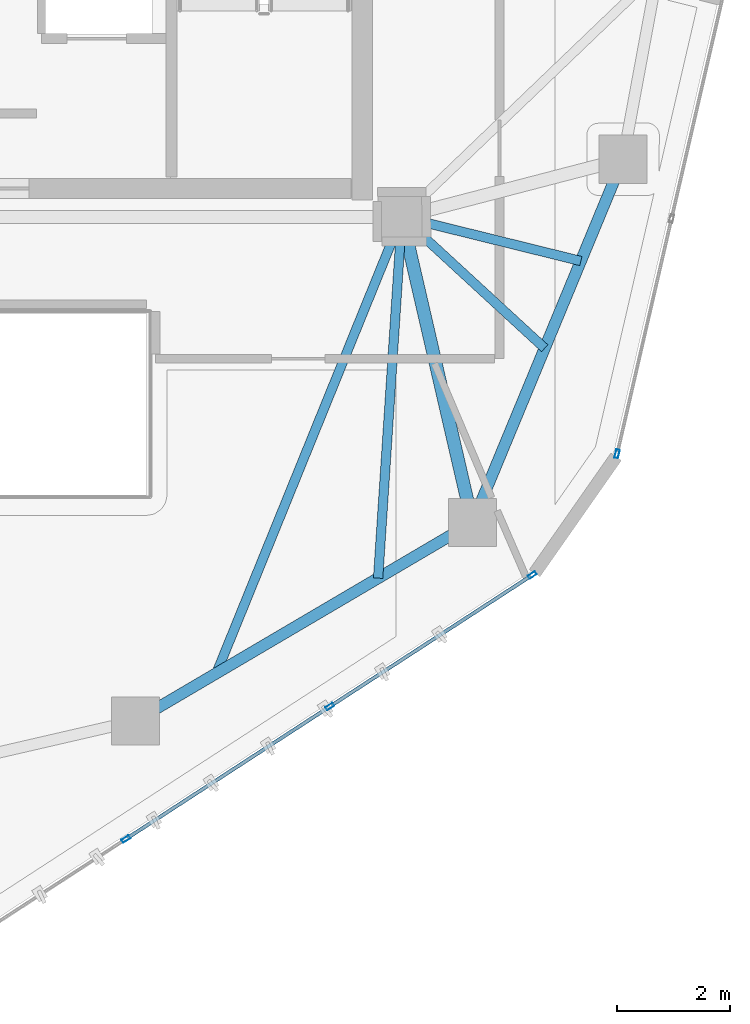
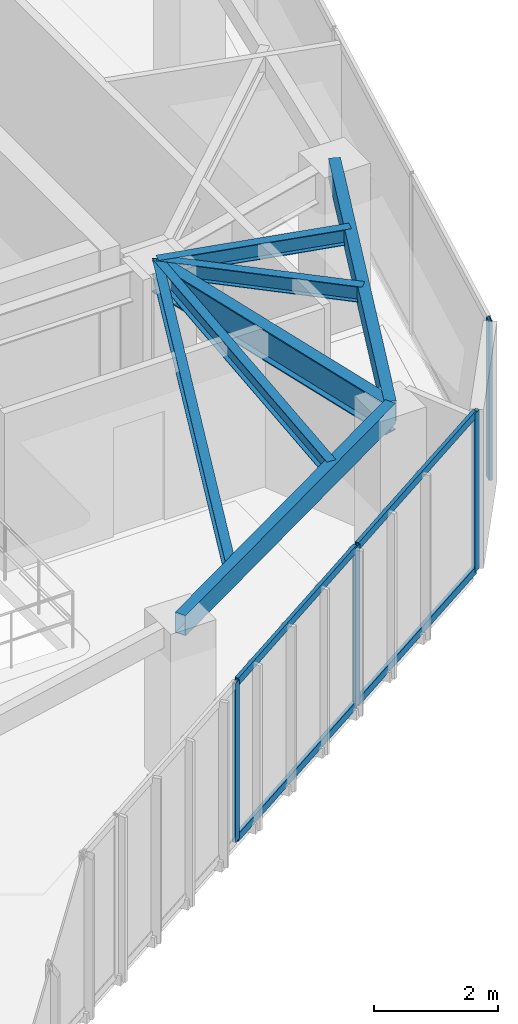
# One storey, part 6 of 20: 8 members, 7 beams, 2 elements without a shape of their own.
"""IFC4 building model written with IfcOpenShell, lengths in metres."""

import ifcopenshell
import ifcopenshell.guid

model = None  # the IFC model being written
_history = None  # IfcOwnerHistory: only IFC2X3 demands one
_inside = {}  # id of a spatial element -> (the spatial element, [elements in it])
_under = {}  # id of a project, library or spatial element -> (it, [spatial elements below it])
_declared = {}  # id of a project -> (the project, [libraries it declares])
_typed = {}  # id of a type object -> (the type object, [elements of that type])
_made_of = {}  # id of a material, layer set ... -> (it, [elements and type objects made of it])


def new_model(schema):
    """Start an empty IFC model of exactly this schema.

    Asked for "IFC4X3", IfcOpenShell would pick the latest addendum, in which some entities
    have other attributes; the version numbers below select the first issue.
    IFC2X3 requires an IfcOwnerHistory on every rooted entity: one is made here for all.
    """
    global model, _history
    if schema == "IFC4X3":
        model = ifcopenshell.file(schema_version=(4, 3, 0, 0))
    else:
        model = ifcopenshell.file(schema=schema)
    _inside.clear()
    _under.clear()
    _declared.clear()
    _typed.clear()
    _made_of.clear()
    _history = None
    if model.schema == "IFC2X3":
        org = make("IfcOrganization", Name="unknown")
        user = make(
            "IfcPersonAndOrganization",
            ThePerson=make("IfcPerson", FamilyName="unknown"),
            TheOrganization=org,
        )
        app = make(
            "IfcApplication",
            ApplicationDeveloper=org,
            Version="unknown",
            ApplicationFullName="unknown",
            ApplicationIdentifier="unknown",
        )
        _history = make(
            "IfcOwnerHistory",
            OwningUser=user,
            OwningApplication=app,
            ChangeAction="ADDED",
            CreationDate=0,
        )
    return model


def make(cls, **values):
    """One entity of the class cls with the attributes given. An attribute that is None is left unset."""
    return model.create_entity(
        cls, **{name: value for name, value in values.items() if value is not None}
    )


def rooted(cls, **values):
    """An entity with a GlobalId (a new one), such as an element, a storey or a relation."""
    return make(cls, GlobalId=ifcopenshell.guid.new(), OwnerHistory=_history, **values)


def si_unit(unit_type, name, prefix=None):
    """IfcSIUnit, for example si_unit("LENGTHUNIT", "METRE", prefix="MILLI")."""
    return make("IfcSIUnit", UnitType=unit_type, Prefix=prefix, Name=name)


def assignment(units):
    """IfcUnitAssignment: the units of a project."""
    return None if units is None else make("IfcUnitAssignment", Units=units)


def point(xyz):
    """IfcCartesianPoint."""
    return None if xyz is None else make("IfcCartesianPoint", Coordinates=xyz)


def direction(xyz):
    """IfcDirection."""
    return None if xyz is None else make("IfcDirection", DirectionRatios=xyz)


def frame(location, z_axis=None, x_axis=None):
    """IfcAxis2Placement3D, a coordinate frame: its origin and axes. An axis left out is left unset."""
    return make(
        "IfcAxis2Placement3D",
        Location=point(location),
        Axis=direction(z_axis),
        RefDirection=direction(x_axis),
    )


def frame_2d(location, x_axis=None):
    """IfcAxis2Placement2D, a coordinate frame in the plane: its origin and x axis."""
    return make(
        "IfcAxis2Placement2D", Location=point(location), RefDirection=direction(x_axis)
    )


def origin():
    """The frame at (0, 0, 0) with its axes left unset."""
    return frame((0.0, 0.0, 0.0))


def origin_2d():
    """The frame at (0, 0) in the plane with its x axis left unset."""
    return frame_2d((0.0, 0.0))


def place(relative_to, where):
    """IfcLocalPlacement: puts the frame where relative to a parent placement (None: the world)."""
    return make(
        "IfcLocalPlacement", PlacementRelTo=relative_to, RelativePlacement=where
    )


def context(
    kind, dimensions, precision=None, world=None, true_north=None, identifier=None
):
    """IfcGeometricRepresentationContext, for example the 3D "Model" context."""
    return make(
        "IfcGeometricRepresentationContext",
        ContextIdentifier=identifier,
        ContextType=kind,
        CoordinateSpaceDimension=dimensions,
        Precision=precision,
        WorldCoordinateSystem=world,
        TrueNorth=true_north,
    )


def subcontext(parent, identifier, kind, view, scale=None):
    """IfcGeometricRepresentationSubContext, for example "Body" below "Model"."""
    return make(
        "IfcGeometricRepresentationSubContext",
        ContextIdentifier=identifier,
        ContextType=kind,
        ParentContext=parent,
        TargetScale=scale,
        TargetView=view,
    )


def project(units=None, contexts=None):
    """IfcProject with its units and contexts."""
    return rooted(
        "IfcProject",
        Name="project",
        RepresentationContexts=contexts,
        UnitsInContext=assignment(units),
    )


def spatial(cls, under=None, at=None, **own):
    """A site, building, storey or space (cls), placed at a placement, below another one or the project."""
    s = rooted(cls, ObjectPlacement=at, **own)
    if under is not None:
        _under.setdefault(under.id(), (under, []))[1].append(s)
    return s


def profile(cls, at=None, kind="AREA", **sizes):
    """A parametric profile (cls). Its sizes go by their IFC names, for example OverallWidth=200.0."""
    return make(cls, ProfileType=kind, Position=at, **sizes)


def hollow_rectangle(**sizes):
    """IfcRectangleHollowProfileDef."""
    return profile("IfcRectangleHollowProfileDef", **sizes)


def i_section(**sizes):
    """IfcIShapeProfileDef."""
    return profile("IfcIShapeProfileDef", **sizes)


def extrude(swept, where, along, depth):
    """IfcExtrudedAreaSolid: the profile swept, set in the frame where, extruded along a direction by depth."""
    return make(
        "IfcExtrudedAreaSolid",
        SweptArea=swept,
        Position=where,
        ExtrudedDirection=direction(along),
        Depth=depth,
    )


def shape(context_of_items, identifier, shape_type, items):
    """IfcShapeRepresentation: the items that make up one representation, for example the "Body"."""
    return make(
        "IfcShapeRepresentation",
        ContextOfItems=context_of_items,
        RepresentationIdentifier=identifier,
        RepresentationType=shape_type,
        Items=items,
    )


def source(mapping_origin, context_of_items, identifier, shape_type, items):
    """IfcRepresentationMap: a shape defined once, which mapped items show again and again."""
    return make(
        "IfcRepresentationMap",
        MappingOrigin=mapping_origin,
        MappedRepresentation=shape(context_of_items, identifier, shape_type, items),
    )


def transform(
    local_origin,
    x_axis=None,
    y_axis=None,
    z_axis=None,
    scale=None,
    scale2=None,
    scale3=None,
    uniform=True,
):
    """IfcCartesianTransformationOperator3D, or its non-uniform kind. x_axis, y_axis, z_axis: its Axis1, 2, 3."""
    if uniform:
        return make(
            "IfcCartesianTransformationOperator3D",
            Axis1=direction(x_axis),
            Axis2=direction(y_axis),
            LocalOrigin=point(local_origin),
            Scale=scale,
            Axis3=direction(z_axis),
        )
    return make(
        "IfcCartesianTransformationOperator3DnonUniform",
        Axis1=direction(x_axis),
        Axis2=direction(y_axis),
        LocalOrigin=point(local_origin),
        Scale=scale,
        Axis3=direction(z_axis),
        Scale2=scale2,
        Scale3=scale3,
    )


def mapped(mapping_source, mapping_target):
    """IfcMappedItem: shows the shape of a source again, moved by a transform."""
    return make(
        "IfcMappedItem", MappingSource=mapping_source, MappingTarget=mapping_target
    )


def material(Name=None, Category=None):
    """IfcMaterial."""
    return make("IfcMaterial", Name=Name, Category=Category)


def layer(
    of_material, thickness, ventilated=None, Name=None, Category=None, Priority=None
):
    """IfcMaterialLayer: one layer of a wall or slab, of a material (None: an air gap)."""
    return make(
        "IfcMaterialLayer",
        Material=of_material,
        LayerThickness=thickness,
        IsVentilated=ventilated,
        Name=Name,
        Category=Category,
        Priority=Priority,
    )


def layer_set(layers, Name=None):
    """IfcMaterialLayerSet."""
    return make("IfcMaterialLayerSet", MaterialLayers=layers, LayerSetName=Name)


def material_profile(
    of_material, cross_section, Name=None, Category=None, Priority=None
):
    """IfcMaterialProfile: a cross section and its material."""
    return make(
        "IfcMaterialProfile",
        Name=Name,
        Material=of_material,
        Profile=cross_section,
        Priority=Priority,
        Category=Category,
    )


def profile_set(profiles, Name=None, composite=None):
    """IfcMaterialProfileSet."""
    return make(
        "IfcMaterialProfileSet",
        Name=Name,
        MaterialProfiles=profiles,
        CompositeProfile=composite,
    )


def made_of(thing, what):
    """Note that an element or type object is made of a material, layer set ...; save() writes the relation."""
    if what is not None:
        _made_of.setdefault(what.id(), (what, []))[1].append(thing)
    return thing


def type_object(cls, material=None, **own):
    """A type object (cls), such as IfcWallType, which elements share."""
    return made_of(rooted(cls, **own), material)


def type_shapes(of_type, sources):
    """Give a type object the sources (RepresentationMaps) that its elements show as mapped items."""
    of_type.RepresentationMaps = sources


def element(
    cls,
    number,
    at=None,
    inside=None,
    cuts=None,
    type_object=None,
    material=None,
    context=None,
    identifier="Body",
    shape_type=None,
    held_by="IfcProductDefinitionShape",
    body=None,
    shapes=None,
    **own,
):
    """One element of the class cls, such as IfcWall. Its Tag is "e" and its number.

    at: its placement. inside: the storey or other place that contains it. cuts: it is an
    opening in that element (IfcRelVoidsElement). A single representation is given by context,
    identifier, shape_type and body (its items); several are given by shapes. held_by: the class
    of the entity that holds the representations. save() writes the other relations.
    """
    e = rooted(cls, Tag="e%d" % number, ObjectPlacement=at, **own)
    if body is not None:
        shapes = [shape(context, identifier, shape_type, body)]
    if shapes is not None:
        e.Representation = make(held_by, Representations=shapes)
    if inside is not None:
        _inside.setdefault(inside.id(), (inside, []))[1].append(e)
    if cuts is not None:
        rooted(
            "IfcRelVoidsElement", RelatingBuildingElement=cuts, RelatedOpeningElement=e
        )
    if type_object is not None:
        _typed.setdefault(type_object.id(), (type_object, []))[1].append(e)
    return made_of(e, material)


def aggregate(whole, parts):
    """IfcRelAggregates: a whole, such as a stair, and the parts it consists of."""
    return rooted("IfcRelAggregates", RelatingObject=whole, RelatedObjects=parts)


def save(model, path):
    """Write the relations noted so far, then the file.

    IfcRelAggregates (storeys below a building ...), IfcRelContainedInSpatialStructure (elements
    in a storey), IfcRelDefinesByType, IfcRelAssociatesMaterial and IfcRelDeclares: one each for
    every whole, place, type object, material and project.
    """
    for whole, parts in _under.values():
        aggregate(whole, parts)
    for where, things in _inside.values():
        rooted(
            "IfcRelContainedInSpatialStructure",
            RelatedElements=things,
            RelatingStructure=where,
        )
    for kind, things in _typed.values():
        rooted("IfcRelDefinesByType", RelatedObjects=things, RelatingType=kind)
    for what, things in _made_of.values():
        rooted("IfcRelAssociatesMaterial", RelatedObjects=things, RelatingMaterial=what)
    for by, libraries in _declared.values():
        rooted("IfcRelDeclares", RelatingContext=by, RelatedDefinitions=libraries)
    model.write(path)


model = new_model("IFC4")

# Units and contexts
model_context = context("Model", 3, precision=1e-05, world=origin(), true_north=direction((0.0, 1.0)))
body_context = subcontext(model_context, "Body", "Model", "MODEL_VIEW")
ifc_project = project(units=[si_unit("LENGTHUNIT", "METRE"), si_unit("AREAUNIT", "SQUARE_METRE"), si_unit("VOLUMEUNIT", "CUBIC_METRE"), si_unit("PLANEANGLEUNIT", "RADIAN"), si_unit("MASSUNIT", "GRAM", prefix="KILO")], contexts=[model_context])

# Site, building, storey
site_placement = place(None, origin())
site = spatial("IfcSite", under=ifc_project, at=site_placement, CompositionType="ELEMENT")
building_placement = place(site_placement, origin())
building = spatial("IfcBuilding", under=site, at=building_placement, Name="Talar Marvaseh", CompositionType="ELEMENT")
storey_placement = place(building_placement, frame((0.0, 0.0, 247.60009765625)))
storey = spatial("IfcBuildingStorey", under=building, at=storey_placement, Name="L65", CompositionType="ELEMENT", Elevation=247.60009765625)

# Beams
ifc_material_1 = material(Name="Steel S355", Category="steel")
ifc_material_profile_1 = material_profile(ifc_material_1, hollow_rectangle(XDim=0.199951171875, YDim=0.39990234375, WallThickness=0.013916015625, at=origin_2d()), Name="RHS400x200x14")
ifc_profile_set_1 = profile_set([ifc_material_profile_1], Name="Steel S355")
beam_type_1 = type_object("IfcBeamType", Name="Zone 3 Perimeter Spandrel Beam RHS400x200x14", PredefinedType="SPANDREL", material=ifc_profile_set_1)
beam_1_placement = place(storey_placement, frame((37.197021484375, 26.513916015625, 2.93994140625), z_axis=(-0.382798740112, -0.923831762048, 0.0), x_axis=(0.923831762048, -0.382798740112, 0.0)))
element("IfcBeam", 1, at=beam_1_placement, inside=storey, type_object=beam_type_1, Name="L65 Zone 3 Perimeter Spandrel Beam RHS400x200x14", PredefinedType="SPANDREL", context=body_context, shape_type="SweptSolid", body=[
    extrude(hollow_rectangle(XDim=0.199951171875, YDim=0.39990234375, WallThickness=0.013916015625, at=origin_2d()), origin(), (0.0, 0.0, 1.0), 6.9306640625),
])
beam_2_placement = place(storey_placement, frame((34.5439453125, 20.111083984375, 2.93994140625), z_axis=(-0.861894136287, -0.507088254482, 0.0), x_axis=(0.507088254482, -0.861894136287, 0.0)))
element("IfcBeam", 2, at=beam_2_placement, inside=storey, type_object=beam_type_1, Name="L65 Zone 3 Perimeter Spandrel Beam RHS400x200x14", PredefinedType="SPANDREL", context=body_context, shape_type="SweptSolid", body=[
    extrude(hollow_rectangle(XDim=0.199951171875, YDim=0.39990234375, WallThickness=0.013916015625, at=origin_2d()), origin(), (0.0, 0.0, 1.0), 6.890625),
])
ifc_material_profile_2 = material_profile(ifc_material_1, i_section(OverallWidth=0.166015625, OverallDepth=0.31298828125, WebThickness=0.006591796875, FlangeThickness=0.01123046875, at=origin_2d()), Name="W310x45")
ifc_profile_set_2 = profile_set([ifc_material_profile_2], Name="Steel S355")
beam_type_2 = type_object("IfcBeamType", Name="Zone 3 Secondary Floor Joist W310x45", PredefinedType="JOIST", material=ifc_profile_set_2)
beam_3_placement = place(storey_placement, frame((36.4541015625, 24.72119140625, 2.9833984375), z_axis=(-0.970841284349, 0.239723174942, 0.0), x_axis=(-0.239723174942, -0.970841284349, 0.0)))
element("IfcBeam", 3, at=beam_3_placement, inside=storey, type_object=beam_type_2, Name="L65 Zone 3 Secondary Floor Joist W310x45", PredefinedType="JOIST", context=body_context, shape_type="SweptSolid", body=[
    extrude(i_section(OverallWidth=0.166015625, OverallDepth=0.31298828125, WebThickness=0.006591796875, FlangeThickness=0.01123046875, at=origin_2d()), origin(), (0.0, 0.0, 1.0), 3.248779296875),
])
beam_4_placement = place(storey_placement, frame((35.8173828125, 23.184326171875, 2.9833984375), z_axis=(-0.735970843201, 0.677013233223, 0.0), x_axis=(-0.677013233223, -0.735970843201, 0.0)))
element("IfcBeam", 4, at=beam_4_placement, inside=storey, type_object=beam_type_2, Name="L65 Zone 3 Secondary Floor Joist W310x45", PredefinedType="JOIST", context=body_context, shape_type="SweptSolid", body=[
    extrude(i_section(OverallWidth=0.166015625, OverallDepth=0.31298828125, WebThickness=0.006591796875, FlangeThickness=0.01123046875, at=origin_2d()), origin(), (0.0, 0.0, 1.0), 3.42041015625),
])
beam_5_placement = place(storey_placement, frame((32.881103515625, 19.1328125, 2.9833984375), z_axis=(0.065655577597, 0.997842344827, 0.0), x_axis=(-0.997842344827, 0.065655577597, 0.0)))
element("IfcBeam", 5, at=beam_5_placement, inside=storey, type_object=beam_type_2, Name="L65 Zone 3 Secondary Floor Joist W310x45", PredefinedType="JOIST", context=body_context, shape_type="SweptSolid", body=[
    extrude(i_section(OverallWidth=0.166015625, OverallDepth=0.31298828125, WebThickness=0.006591796875, FlangeThickness=0.01123046875, at=origin_2d()), origin(), (0.0, 0.0, 1.0), 6.380859375),
])
beam_6_placement = place(storey_placement, frame((30.030517578125, 17.45556640625, 2.9833984375), z_axis=(0.37652334678, 0.92640712936, 0.0), x_axis=(-0.92640712936, 0.37652334678, 0.0)))
element("IfcBeam", 6, at=beam_6_placement, inside=storey, type_object=beam_type_2, Name="L65 Zone 3 Secondary Floor Joist W310x45", PredefinedType="JOIST", context=body_context, shape_type="SweptSolid", body=[
    extrude(i_section(OverallWidth=0.166015625, OverallDepth=0.31298828125, WebThickness=0.006591796875, FlangeThickness=0.01123046875, at=origin_2d()), origin(), (0.0, 0.0, 1.0), 8.68359375),
])
ifc_material_profile_3 = material_profile(ifc_material_1, i_section(OverallWidth=0.22998046875, OverallDepth=0.616943359375, WebThickness=0.01318359375, FlangeThickness=0.022216796875, at=origin_2d()), Name="W610x140")
ifc_profile_set_3 = profile_set([ifc_material_profile_3], Name="Steel S355")
beam_type_3 = type_object("IfcBeamType", Name="Zone 4 Radial Floor Girder W610x140", PredefinedType="BEAM", material=ifc_profile_set_3)
beam_7_placement = place(storey_placement, frame((34.5439453125, 20.111083984375, 2.831298828125), z_axis=(-0.22491108979, 0.974379290466, 0.0), x_axis=(-0.974379290466, -0.22491108979, 0.0)))
element("IfcBeam", 7, at=beam_7_placement, inside=storey, type_object=beam_type_3, Name="L65 Zone 4 Radial Floor Girder W610x140", PredefinedType="BEAM", context=body_context, shape_type="SweptSolid", body=[
    extrude(i_section(OverallWidth=0.22998046875, OverallDepth=0.616943359375, WebThickness=0.01318359375, FlangeThickness=0.022216796875, at=origin_2d()), origin(), (0.0, 0.0, 1.0), 5.530517578125),
])

# Curtain wall, member
ifc_material_2 = material(Name="Architectural Aluminium", Category="aluminium")
ifc_layer = layer(ifc_material_2, 0.179931640625)
ifc_layer_set = layer_set([ifc_layer], Name="Architectural Aluminium")
curtain_wall_type = type_object("IfcCurtainWallType", Name="Unitised High-Wind Sky Curtain Wall Z4", PredefinedType="NOTDEFINED", material=ifc_layer_set)
curtain_wall_1_placement = place(storey_placement, origin())
curtain_wall_1 = element("IfcCurtainWall", 8, at=curtain_wall_1_placement, inside=storey, type_object=curtain_wall_type, Name="L65 Unitised High-Wind Sky Curtain Wall Z4", PredefinedType="NOTDEFINED")
ifc_material_profile_4 = material_profile(ifc_material_2, hollow_rectangle(XDim=0.06494140625, YDim=0.14990234375, WallThickness=0.00390625, at=origin_2d()), Name="RHS150x65x4")
ifc_profile_set_4 = profile_set([ifc_material_profile_4], Name="Architectural Aluminium")
member_type_1 = type_object("IfcMemberType", Name="Unitised Curtain Wall Slim Mullion RHS150x65x4", PredefinedType="MULLION", material=ifc_profile_set_4)
shared_shape_1 = source(origin(), body_context, "Body", "SweptSolid", [
    extrude(hollow_rectangle(XDim=0.06494140625, YDim=0.14990234375, WallThickness=0.00390625, at=origin_2d()), origin(), (0.0, 0.0, 1.0), 3.139892578125),
])
type_shapes(member_type_1, [shared_shape_1])
member_1_placement = place(storey_placement, frame((37.093994140625, 21.323486328125, 0.0), z_axis=(0.0, 0.0, 1.0), x_axis=(0.974334936397, -0.225103157943, 0.0)))
member_1 = element("IfcMember", 9, at=member_1_placement, type_object=member_type_1, Name="CW-Z4 mullion 5", PredefinedType="MULLION", context=body_context, shape_type="MappedRepresentation", body=[
    mapped(shared_shape_1, transform((0.0, 0.0, 0.0), x_axis=(1.0, 0.0, 0.0), y_axis=(0.0, 1.0, 0.0), z_axis=(0.0, 0.0, 1.0), scale=1.0)),
])
aggregate(curtain_wall_1, [member_1])

# Curtain wall, members
curtain_wall_2_placement = place(storey_placement, origin())
curtain_wall_2 = element("IfcCurtainWall", 10, at=curtain_wall_2_placement, inside=storey, type_object=curtain_wall_type, Name="L65 Unitised High-Wind Sky Curtain Wall Z4", PredefinedType="NOTDEFINED")
member_2_placement = place(storey_placement, frame((35.598388671875, 19.1875, 0.0), z_axis=(0.0, 0.0, 1.0), x_axis=(0.544769379387, -0.838585906919, 0.0)))
member_2 = element("IfcMember", 11, at=member_2_placement, type_object=member_type_1, Name="CW-Z4 mullion 1", PredefinedType="MULLION", context=body_context, shape_type="MappedRepresentation", body=[
    mapped(shared_shape_1, transform((0.0, 0.0, 0.0), x_axis=(1.0, 0.0, 0.0), y_axis=(0.0, 1.0, 0.0), z_axis=(0.0, 0.0, 1.0), scale=1.0)),
])
member_3_placement = place(storey_placement, frame((32.03125, 16.8701171875, 0.0), z_axis=(0.0, 0.0, 1.0), x_axis=(0.544769379387, -0.838585906919, 0.0)))
member_3 = element("IfcMember", 12, at=member_3_placement, type_object=member_type_1, Name="CW-Z4 mullion 2", PredefinedType="MULLION", context=body_context, shape_type="MappedRepresentation", body=[
    mapped(shared_shape_1, transform((0.0, 0.0, 0.0), x_axis=(1.0, 0.0, 0.0), y_axis=(0.0, 1.0, 0.0), z_axis=(0.0, 0.0, 1.0), scale=1.0)),
])
member_4_placement = place(storey_placement, frame((28.43701171875, 14.53515625, 0.0), z_axis=(0.0, 0.0, 1.0), x_axis=(0.544769379387, -0.838585906919, 0.0)))
member_4 = element("IfcMember", 13, at=member_4_placement, type_object=member_type_1, Name="CW-Z4 mullion 3", PredefinedType="MULLION", context=body_context, shape_type="MappedRepresentation", body=[
    mapped(shared_shape_1, transform((0.0, 0.0, 0.0), x_axis=(1.0, 0.0, 0.0), y_axis=(0.0, 1.0, 0.0), z_axis=(0.0, 0.0, 1.0), scale=1.0)),
])
ifc_material_profile_5 = material_profile(ifc_material_2, hollow_rectangle(XDim=0.06494140625, YDim=0.14990234375, WallThickness=0.00390625, at=origin_2d()), Name="RHS150x65x4")
ifc_profile_set_5 = profile_set([ifc_material_profile_5], Name="Architectural Aluminium")
member_type_2 = type_object("IfcMemberType", Name="Unitised Curtain Wall Slim Transom RHS150x65x4", PredefinedType="USERDEFINED", material=ifc_profile_set_5)
shared_shape_2 = source(origin(), body_context, "Body", "SweptSolid", [
    extrude(hollow_rectangle(XDim=0.06494140625, YDim=0.14990234375, WallThickness=0.00390625, at=origin_2d()), origin(), (0.0, 0.0, 1.0), 4.221435546875),
])
member_5_placement = place(storey_placement, frame((32.004150390625, 16.8525390625, 0.032470703125), z_axis=(-0.838575722855, -0.544785055814, 0.0), x_axis=(0.544785055814, -0.838575722855, 0.0)))
member_5 = element("IfcMember", 14, at=member_5_placement, type_object=member_type_2, Name="CW-Z4 transom 2.1", ObjectType="TRANSOM", PredefinedType="USERDEFINED", context=body_context, shape_type="MappedRepresentation", body=[
    mapped(shared_shape_2, transform((0.0, 0.0, 0.0), x_axis=(1.0, 0.0, 0.0), y_axis=(0.0, 1.0, 0.0), z_axis=(0.0, 0.0, 1.0), scale=1.0)),
])
member_6_placement = place(storey_placement, frame((32.004150390625, 16.8525390625, 3.107421875), z_axis=(-0.838575722855, -0.544785055814, 0.0), x_axis=(0.544785055814, -0.838575722855, 0.0)))
member_6 = element("IfcMember", 15, at=member_6_placement, type_object=member_type_2, Name="CW-Z4 transom 2.2", ObjectType="TRANSOM", PredefinedType="USERDEFINED", context=body_context, shape_type="MappedRepresentation", body=[
    mapped(shared_shape_2, transform((0.0, 0.0, 0.0), x_axis=(1.0, 0.0, 0.0), y_axis=(0.0, 1.0, 0.0), z_axis=(0.0, 0.0, 1.0), scale=1.0)),
])
shared_shape_3 = source(origin(), body_context, "Body", "SweptSolid", [
    extrude(hollow_rectangle(XDim=0.06494140625, YDim=0.14990234375, WallThickness=0.00390625, at=origin_2d()), origin(), (0.0, 0.0, 1.0), 4.188720703125),
])
type_shapes(member_type_2, [shared_shape_2, shared_shape_3])
member_7_placement = place(storey_placement, frame((35.5712890625, 19.169677734375, 0.032470703125), z_axis=(-0.838608702388, -0.544734287776, 0.0), x_axis=(0.544734287776, -0.838608702388, 0.0)))
member_7 = element("IfcMember", 16, at=member_7_placement, type_object=member_type_2, Name="CW-Z4 transom 1.1", ObjectType="TRANSOM", PredefinedType="USERDEFINED", context=body_context, shape_type="MappedRepresentation", body=[
    mapped(shared_shape_3, transform((0.0, 0.0, 0.0), x_axis=(1.0, 0.0, 0.0), y_axis=(0.0, 1.0, 0.0), z_axis=(0.0, 0.0, 1.0), scale=1.0)),
])
member_8_placement = place(storey_placement, frame((35.5712890625, 19.169677734375, 3.107421875), z_axis=(-0.838608702388, -0.544734287776, 0.0), x_axis=(0.544734287776, -0.838608702388, 0.0)))
member_8 = element("IfcMember", 17, at=member_8_placement, type_object=member_type_2, Name="CW-Z4 transom 1.2", ObjectType="TRANSOM", PredefinedType="USERDEFINED", context=body_context, shape_type="MappedRepresentation", body=[
    mapped(shared_shape_3, transform((0.0, 0.0, 0.0), x_axis=(1.0, 0.0, 0.0), y_axis=(0.0, 1.0, 0.0), z_axis=(0.0, 0.0, 1.0), scale=1.0)),
])
aggregate(curtain_wall_2, [member_2, member_3, member_4, member_7, member_8, member_5, member_6])

save(model, "model.ifc")
